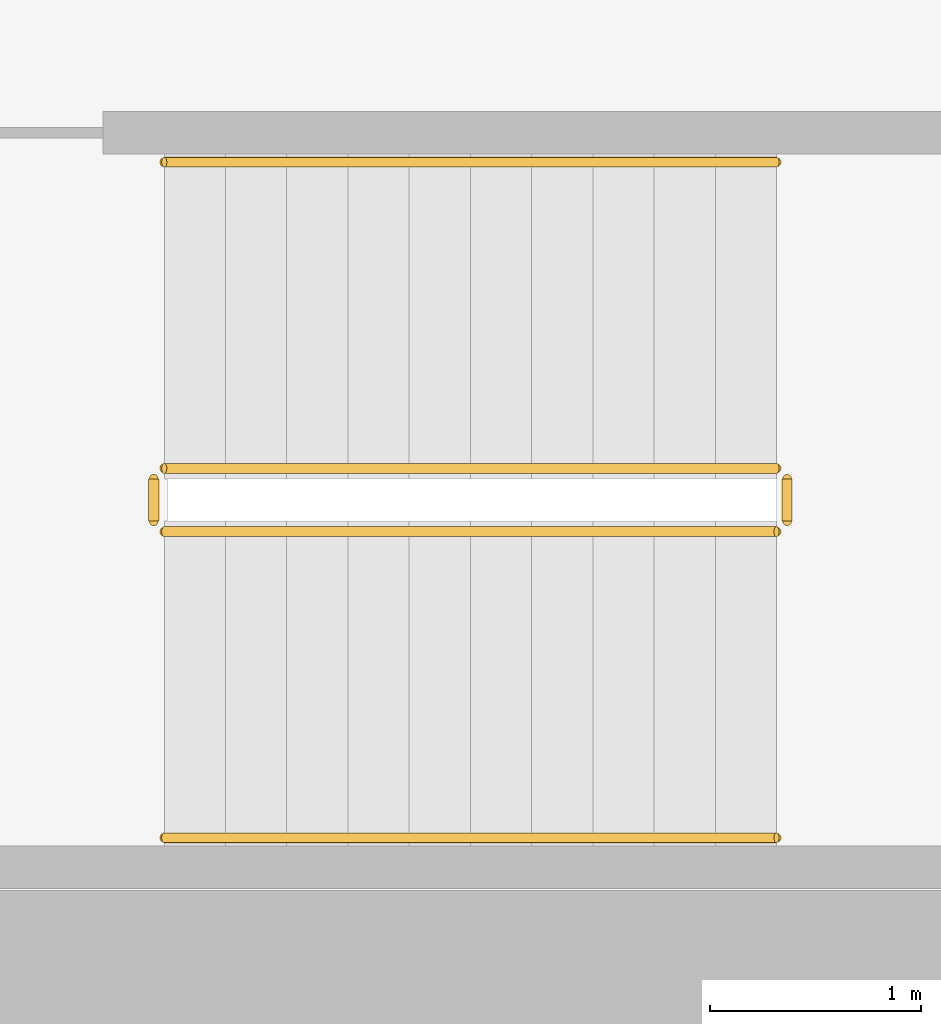
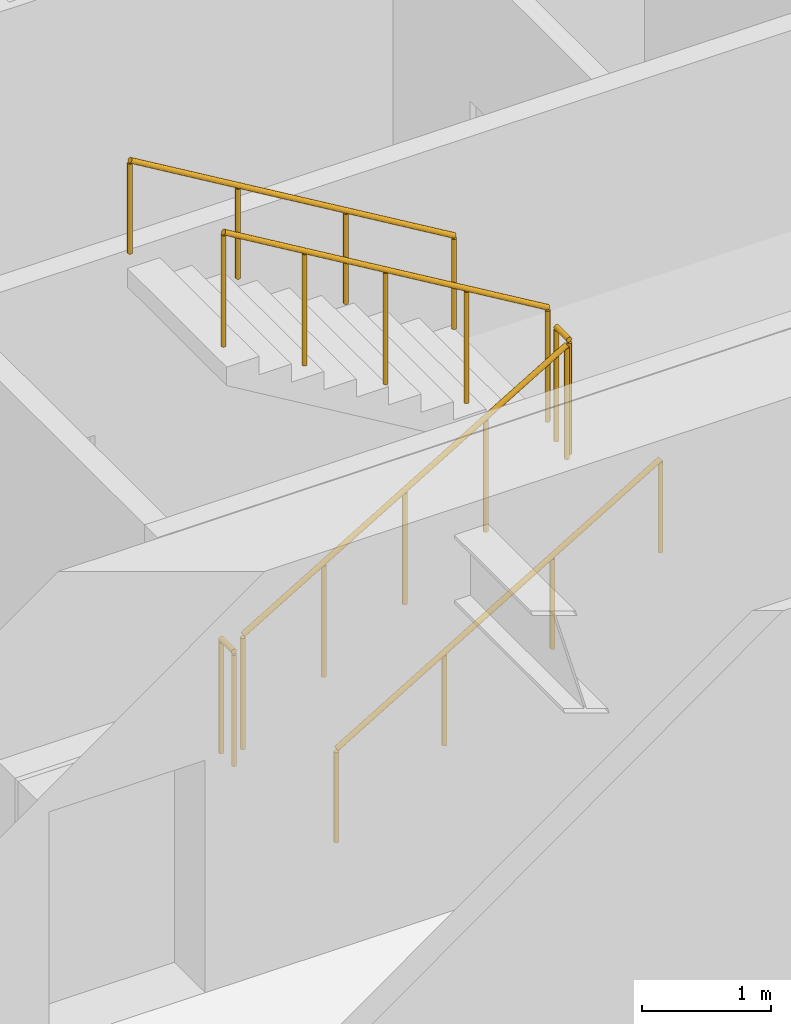
# One storey, part 19 of 20: 6 railings.
"""IFC4 building model written with IfcOpenShell, lengths in metres."""

import ifcopenshell
import ifcopenshell.guid

model = None  # the IFC model being written
_history = None  # IfcOwnerHistory: only IFC2X3 demands one
_inside = {}  # id of a spatial element -> (the spatial element, [elements in it])
_under = {}  # id of a project, library or spatial element -> (it, [spatial elements below it])
_declared = {}  # id of a project -> (the project, [libraries it declares])
_typed = {}  # id of a type object -> (the type object, [elements of that type])
_made_of = {}  # id of a material, layer set ... -> (it, [elements and type objects made of it])


def new_model(schema):
    """Start an empty IFC model of exactly this schema.

    Asked for "IFC4X3", IfcOpenShell would pick the latest addendum, in which some entities
    have other attributes; the version numbers below select the first issue.
    IFC2X3 requires an IfcOwnerHistory on every rooted entity: one is made here for all.
    """
    global model, _history
    if schema == "IFC4X3":
        model = ifcopenshell.file(schema_version=(4, 3, 0, 0))
    else:
        model = ifcopenshell.file(schema=schema)
    _inside.clear()
    _under.clear()
    _declared.clear()
    _typed.clear()
    _made_of.clear()
    _history = None
    if model.schema == "IFC2X3":
        org = make("IfcOrganization", Name="unknown")
        user = make(
            "IfcPersonAndOrganization",
            ThePerson=make("IfcPerson", FamilyName="unknown"),
            TheOrganization=org,
        )
        app = make(
            "IfcApplication",
            ApplicationDeveloper=org,
            Version="unknown",
            ApplicationFullName="unknown",
            ApplicationIdentifier="unknown",
        )
        _history = make(
            "IfcOwnerHistory",
            OwningUser=user,
            OwningApplication=app,
            ChangeAction="ADDED",
            CreationDate=0,
        )
    return model


def make(cls, **values):
    """One entity of the class cls with the attributes given. An attribute that is None is left unset."""
    return model.create_entity(
        cls, **{name: value for name, value in values.items() if value is not None}
    )


def rooted(cls, **values):
    """An entity with a GlobalId (a new one), such as an element, a storey or a relation."""
    return make(cls, GlobalId=ifcopenshell.guid.new(), OwnerHistory=_history, **values)


def si_unit(unit_type, name, prefix=None):
    """IfcSIUnit, for example si_unit("LENGTHUNIT", "METRE", prefix="MILLI")."""
    return make("IfcSIUnit", UnitType=unit_type, Prefix=prefix, Name=name)


def assignment(units):
    """IfcUnitAssignment: the units of a project."""
    return None if units is None else make("IfcUnitAssignment", Units=units)


def point(xyz):
    """IfcCartesianPoint."""
    return None if xyz is None else make("IfcCartesianPoint", Coordinates=xyz)


def direction(xyz):
    """IfcDirection."""
    return None if xyz is None else make("IfcDirection", DirectionRatios=xyz)


def frame(location, z_axis=None, x_axis=None):
    """IfcAxis2Placement3D, a coordinate frame: its origin and axes. An axis left out is left unset."""
    return make(
        "IfcAxis2Placement3D",
        Location=point(location),
        Axis=direction(z_axis),
        RefDirection=direction(x_axis),
    )


def frame_2d(location, x_axis=None):
    """IfcAxis2Placement2D, a coordinate frame in the plane: its origin and x axis."""
    return make(
        "IfcAxis2Placement2D", Location=point(location), RefDirection=direction(x_axis)
    )


def origin():
    """The frame at (0, 0, 0) with its axes left unset."""
    return frame((0.0, 0.0, 0.0))


def origin_2d():
    """The frame at (0, 0) in the plane with its x axis left unset."""
    return frame_2d((0.0, 0.0))


def place(relative_to, where):
    """IfcLocalPlacement: puts the frame where relative to a parent placement (None: the world)."""
    return make(
        "IfcLocalPlacement", PlacementRelTo=relative_to, RelativePlacement=where
    )


def context(
    kind, dimensions, precision=None, world=None, true_north=None, identifier=None
):
    """IfcGeometricRepresentationContext, for example the 3D "Model" context."""
    return make(
        "IfcGeometricRepresentationContext",
        ContextIdentifier=identifier,
        ContextType=kind,
        CoordinateSpaceDimension=dimensions,
        Precision=precision,
        WorldCoordinateSystem=world,
        TrueNorth=true_north,
    )


def subcontext(parent, identifier, kind, view, scale=None):
    """IfcGeometricRepresentationSubContext, for example "Body" below "Model"."""
    return make(
        "IfcGeometricRepresentationSubContext",
        ContextIdentifier=identifier,
        ContextType=kind,
        ParentContext=parent,
        TargetScale=scale,
        TargetView=view,
    )


def project(units=None, contexts=None):
    """IfcProject with its units and contexts."""
    return rooted(
        "IfcProject",
        Name="project",
        RepresentationContexts=contexts,
        UnitsInContext=assignment(units),
    )


def spatial(cls, under=None, at=None, **own):
    """A site, building, storey or space (cls), placed at a placement, below another one or the project."""
    s = rooted(cls, ObjectPlacement=at, **own)
    if under is not None:
        _under.setdefault(under.id(), (under, []))[1].append(s)
    return s


def profile(cls, at=None, kind="AREA", **sizes):
    """A parametric profile (cls). Its sizes go by their IFC names, for example OverallWidth=200.0."""
    return make(cls, ProfileType=kind, Position=at, **sizes)


def circle(**sizes):
    """IfcCircleProfileDef."""
    return profile("IfcCircleProfileDef", **sizes)


def extrude(swept, where, along, depth):
    """IfcExtrudedAreaSolid: the profile swept, set in the frame where, extruded along a direction by depth."""
    return make(
        "IfcExtrudedAreaSolid",
        SweptArea=swept,
        Position=where,
        ExtrudedDirection=direction(along),
        Depth=depth,
    )


def shape(context_of_items, identifier, shape_type, items):
    """IfcShapeRepresentation: the items that make up one representation, for example the "Body"."""
    return make(
        "IfcShapeRepresentation",
        ContextOfItems=context_of_items,
        RepresentationIdentifier=identifier,
        RepresentationType=shape_type,
        Items=items,
    )


def material(Name=None, Category=None):
    """IfcMaterial."""
    return make("IfcMaterial", Name=Name, Category=Category)


def made_of(thing, what):
    """Note that an element or type object is made of a material, layer set ...; save() writes the relation."""
    if what is not None:
        _made_of.setdefault(what.id(), (what, []))[1].append(thing)
    return thing


def type_object(cls, material=None, **own):
    """A type object (cls), such as IfcWallType, which elements share."""
    return made_of(rooted(cls, **own), material)


def element(
    cls,
    number,
    at=None,
    inside=None,
    cuts=None,
    type_object=None,
    material=None,
    context=None,
    identifier="Body",
    shape_type=None,
    held_by="IfcProductDefinitionShape",
    body=None,
    shapes=None,
    **own,
):
    """One element of the class cls, such as IfcWall. Its Tag is "e" and its number.

    at: its placement. inside: the storey or other place that contains it. cuts: it is an
    opening in that element (IfcRelVoidsElement). A single representation is given by context,
    identifier, shape_type and body (its items); several are given by shapes. held_by: the class
    of the entity that holds the representations. save() writes the other relations.
    """
    e = rooted(cls, Tag="e%d" % number, ObjectPlacement=at, **own)
    if body is not None:
        shapes = [shape(context, identifier, shape_type, body)]
    if shapes is not None:
        e.Representation = make(held_by, Representations=shapes)
    if inside is not None:
        _inside.setdefault(inside.id(), (inside, []))[1].append(e)
    if cuts is not None:
        rooted(
            "IfcRelVoidsElement", RelatingBuildingElement=cuts, RelatedOpeningElement=e
        )
    if type_object is not None:
        _typed.setdefault(type_object.id(), (type_object, []))[1].append(e)
    return made_of(e, material)


def aggregate(whole, parts):
    """IfcRelAggregates: a whole, such as a stair, and the parts it consists of."""
    return rooted("IfcRelAggregates", RelatingObject=whole, RelatedObjects=parts)


def save(model, path):
    """Write the relations noted so far, then the file.

    IfcRelAggregates (storeys below a building ...), IfcRelContainedInSpatialStructure (elements
    in a storey), IfcRelDefinesByType, IfcRelAssociatesMaterial and IfcRelDeclares: one each for
    every whole, place, type object, material and project.
    """
    for whole, parts in _under.values():
        aggregate(whole, parts)
    for where, things in _inside.values():
        rooted(
            "IfcRelContainedInSpatialStructure",
            RelatedElements=things,
            RelatingStructure=where,
        )
    for kind, things in _typed.values():
        rooted("IfcRelDefinesByType", RelatedObjects=things, RelatingType=kind)
    for what, things in _made_of.values():
        rooted("IfcRelAssociatesMaterial", RelatedObjects=things, RelatingMaterial=what)
    for by, libraries in _declared.values():
        rooted("IfcRelDeclares", RelatingContext=by, RelatedDefinitions=libraries)
    model.write(path)


model = new_model("IFC4")

# Units and contexts
model_context = context("Model", 3, precision=1e-05, world=origin(), true_north=direction((0.0, 1.0)))
body_context = subcontext(model_context, "Body", "Model", "MODEL_VIEW")
ifc_project = project(units=[si_unit("LENGTHUNIT", "METRE"), si_unit("AREAUNIT", "SQUARE_METRE"), si_unit("VOLUMEUNIT", "CUBIC_METRE"), si_unit("PLANEANGLEUNIT", "RADIAN"), si_unit("MASSUNIT", "GRAM", prefix="KILO")], contexts=[model_context])

# Site, building, storey
site_placement = place(None, origin())
site = spatial("IfcSite", under=ifc_project, at=site_placement, CompositionType="ELEMENT")
building_placement = place(site_placement, origin())
building = spatial("IfcBuilding", under=site, at=building_placement, Name="Putna Gate Headquarters", CompositionType="ELEMENT")
storey_placement = place(building_placement, frame((0.0, 0.0, 27.800048828125)))
storey = spatial("IfcBuildingStorey", under=building, at=storey_placement, Name="L05", CompositionType="ELEMENT", Elevation=27.800048828125)

# Railings
ifc_material_1 = material(Name="Powder-coated steel stair guardrail", Category="steel")
railing_type_1 = type_object("IfcRailingType", Name="RAIL-STAIR-GUARD-1100", PredefinedType="GUARDRAIL", material=ifc_material_1)
railing_1_placement = place(storey_placement, frame((57.89990234375, 21.10009765625, 0.172607421875)))
element("IfcRailing", 1, at=railing_1_placement, inside=storey, type_object=railing_type_1, Name="L05 ST2 stair guard 1", PredefinedType="GUARDRAIL", context=body_context, shape_type="SweptSolid", body=[
    extrude(circle(Radius=0.02392578125, at=origin_2d()), frame((0.0, 0.0, 1.076171875), z_axis=(0.859160404282, 0.0, 0.51170636083), x_axis=(0.0, 1.0, 0.0)), (0.0, 0.0, 1.0), 3.37548828125),
    extrude(circle(Radius=0.02099609375, at=origin_2d()), origin(), (0.0, 0.0, 1.0), 1.052001953125),
    extrude(circle(Radius=0.02099609375, at=origin_2d()), frame((0.72509765625, 0.0, 0.431884765625)), (0.0, 0.0, 1.0), 1.052001953125),
    extrude(circle(Radius=0.02099609375, at=origin_2d()), frame((1.4501953125, 0.0, 0.86376953125)), (0.0, 0.0, 1.0), 1.052001953125),
    extrude(circle(Radius=0.02099609375, at=origin_2d()), frame((2.175048828125, 0.0, 1.29541015625)), (0.0, 0.0, 1.0), 1.052001953125),
    extrude(circle(Radius=0.02099609375, at=origin_2d()), frame((2.900146484375, 0.0, 1.727294921875)), (0.0, 0.0, 1.0), 1.052001953125),
])
railing_2_placement = place(storey_placement, frame((60.85009765625, 21.14990234375, 1.89990234375)))
element("IfcRailing", 2, at=railing_2_placement, inside=storey, type_object=railing_type_1, Name="L05 ST2 stair guard 2", PredefinedType="GUARDRAIL", context=body_context, shape_type="SweptSolid", body=[
    extrude(circle(Radius=0.02392578125, at=origin_2d()), frame((0.0, 0.0, 1.076171875), z_axis=(0.0, 1.0, 0.0), x_axis=(-1.0, 0.0, 0.0)), (0.0, 0.0, 1.0), 0.2001953125),
    extrude(circle(Radius=0.02099609375, at=origin_2d()), origin(), (0.0, 0.0, 1.0), 1.052001953125),
    extrude(circle(Radius=0.02099609375, at=origin_2d()), frame((0.0, 0.2001953125, 0.0)), (0.0, 0.0, 1.0), 1.052001953125),
])
railing_3_placement = place(storey_placement, frame((60.800048828125, 21.39990234375, 2.07275390625)))
element("IfcRailing", 3, at=railing_3_placement, inside=storey, type_object=railing_type_1, Name="L05 ST2 stair guard 3", PredefinedType="GUARDRAIL", context=body_context, shape_type="SweptSolid", body=[
    extrude(circle(Radius=0.02392578125, at=origin_2d()), frame((0.0, 0.0, 1.076171875), z_axis=(-0.859160404282, 0.0, 0.51170636083), x_axis=(0.0, -1.0, 0.0)), (0.0, 0.0, 1.0), 3.37548828125),
    extrude(circle(Radius=0.02099609375, at=origin_2d()), origin(), (0.0, 0.0, 1.0), 1.052001953125),
    extrude(circle(Radius=0.02099609375, at=origin_2d()), frame((-0.72509765625, 0.0, 0.431884765625)), (0.0, 0.0, 1.0), 1.052001953125),
    extrude(circle(Radius=0.02099609375, at=origin_2d()), frame((-1.4501953125, 0.0, 0.86376953125)), (0.0, 0.0, 1.0), 1.052001953125),
    extrude(circle(Radius=0.02099609375, at=origin_2d()), frame((-2.175048828125, 0.0, 1.29541015625)), (0.0, 0.0, 1.0), 1.052001953125),
    extrude(circle(Radius=0.02099609375, at=origin_2d()), frame((-2.900146484375, 0.0, 1.727294921875)), (0.0, 0.0, 1.0), 1.052001953125),
])
railing_4_placement = place(storey_placement, frame((57.85009765625, 21.14990234375, 0.0)))
element("IfcRailing", 4, at=railing_4_placement, inside=storey, type_object=railing_type_1, Name="L05 ST2 stair guard 4", PredefinedType="GUARDRAIL", context=body_context, shape_type="SweptSolid", body=[
    extrude(circle(Radius=0.02392578125, at=origin_2d()), frame((0.0, 0.0, 1.076171875), z_axis=(0.0, 1.0, 0.0), x_axis=(-1.0, 0.0, 0.0)), (0.0, 0.0, 1.0), 0.2001953125),
    extrude(circle(Radius=0.02099609375, at=origin_2d()), origin(), (0.0, 0.0, 1.0), 1.052001953125),
    extrude(circle(Radius=0.02099609375, at=origin_2d()), frame((0.0, 0.2001953125, 0.0)), (0.0, 0.0, 1.0), 1.052001953125),
])
ifc_material_2 = material(Name="Brushed stainless steel handrail", Category="steel")
railing_type_2 = type_object("IfcRailingType", Name="RAIL-STAIR-HAND-900", PredefinedType="HANDRAIL", material=ifc_material_2)
railing_5_placement = place(storey_placement, frame((57.89990234375, 19.64990234375, 0.172607421875)))
element("IfcRailing", 5, at=railing_5_placement, inside=storey, type_object=railing_type_2, Name="L05 ST2 stair handrail 1", PredefinedType="HANDRAIL", context=body_context, shape_type="SweptSolid", body=[
    extrude(circle(Radius=0.02392578125, at=origin_2d()), frame((0.0, 0.0, 0.8759765625), z_axis=(0.859160404282, 0.0, 0.51170636083), x_axis=(0.0, 1.0, 0.0)), (0.0, 0.0, 1.0), 3.37548828125),
    extrude(circle(Radius=0.02099609375, at=origin_2d()), origin(), (0.0, 0.0, 1.0), 0.851806640625),
    extrude(circle(Radius=0.02099609375, at=origin_2d()), frame((0.966796875, 0.0, 0.57568359375)), (0.0, 0.0, 1.0), 0.851806640625),
    extrude(circle(Radius=0.02099609375, at=origin_2d()), frame((1.933349609375, 0.0, 1.151611328125)), (0.0, 0.0, 1.0), 0.851806640625),
    extrude(circle(Radius=0.02099609375, at=origin_2d()), frame((2.900146484375, 0.0, 1.727294921875)), (0.0, 0.0, 1.0), 0.851806640625),
])
railing_6_placement = place(storey_placement, frame((60.800048828125, 22.85009765625, 2.07275390625)))
element("IfcRailing", 6, at=railing_6_placement, inside=storey, type_object=railing_type_2, Name="L05 ST2 stair handrail 2", PredefinedType="HANDRAIL", context=body_context, shape_type="SweptSolid", body=[
    extrude(circle(Radius=0.02392578125, at=origin_2d()), frame((0.0, 0.0, 0.8759765625), z_axis=(-0.859160404282, 0.0, 0.51170636083), x_axis=(0.0, -1.0, 0.0)), (0.0, 0.0, 1.0), 3.37548828125),
    extrude(circle(Radius=0.02099609375, at=origin_2d()), origin(), (0.0, 0.0, 1.0), 0.851806640625),
    extrude(circle(Radius=0.02099609375, at=origin_2d()), frame((-0.966796875, 0.0, 0.57568359375)), (0.0, 0.0, 1.0), 0.851806640625),
    extrude(circle(Radius=0.02099609375, at=origin_2d()), frame((-1.933349609375, 0.0, 1.151611328125)), (0.0, 0.0, 1.0), 0.851806640625),
    extrude(circle(Radius=0.02099609375, at=origin_2d()), frame((-2.900146484375, 0.0, 1.727294921875)), (0.0, 0.0, 1.0), 0.851806640625),
])

save(model, "model.ifc")
